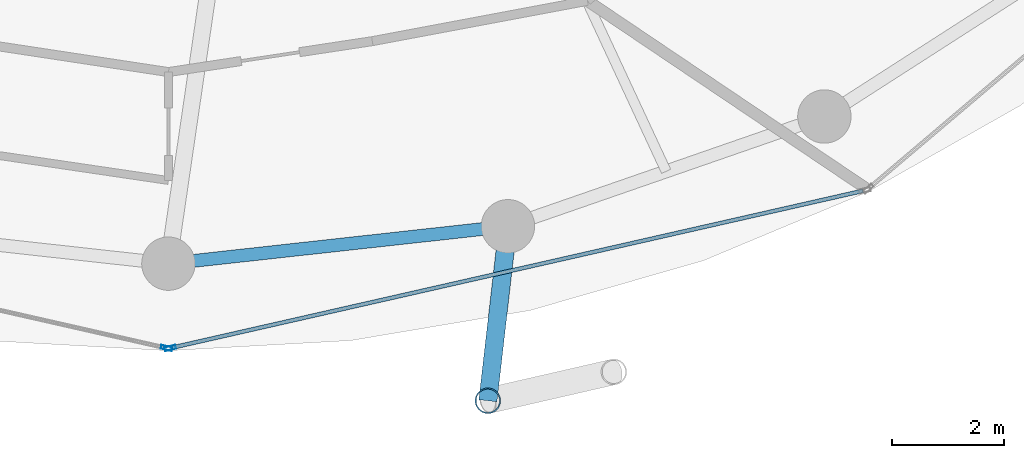
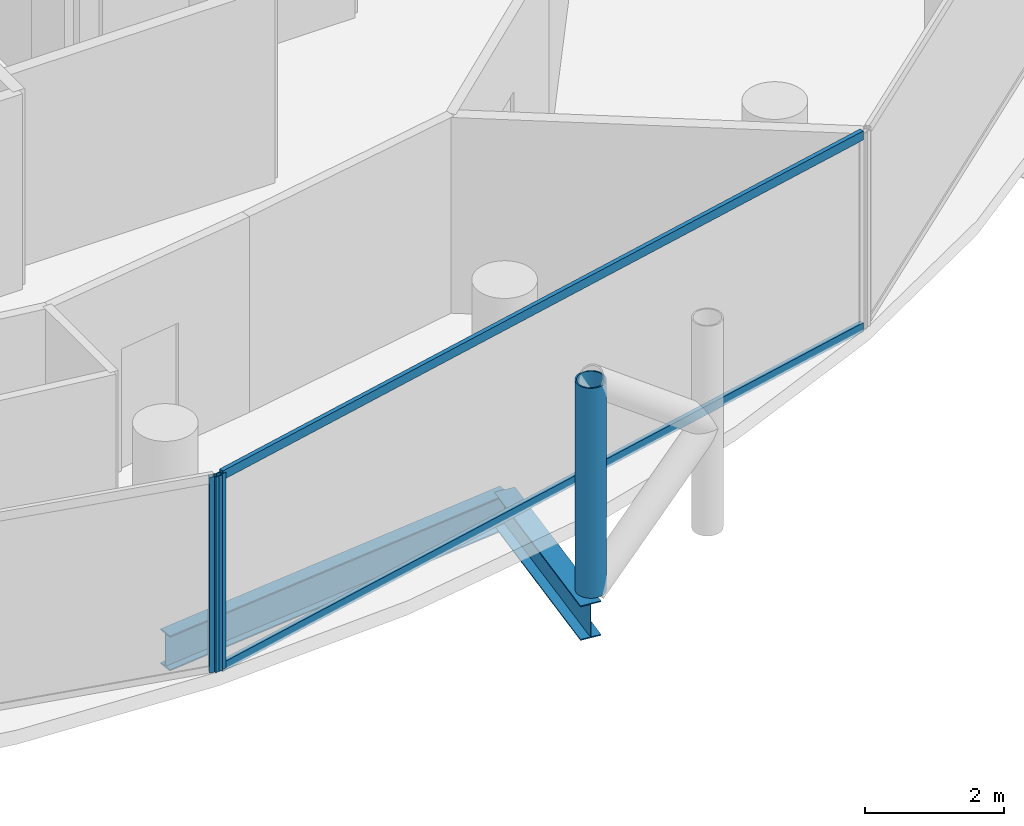
# One storey, part 4 of 26: 5 members, 2 beams, 2 elements without a shape of their own.
"""IFC4 building model written with IfcOpenShell, lengths in metres."""

from ifc_helpers import new_model, si_unit, direction, frame, origin, origin_2d, place, context, subcontext, project, spatial, hollow_rectangle, hollow_circle, i_section, extrude, material, layer, layer_set, material_profile, profile_set, type_object, element, aggregate, save


model = new_model("IFC4")

# Units and contexts
model_context = context("Model", 3, precision=1e-05, world=origin(), true_north=direction((0.0, 1.0)))
body_context = subcontext(model_context, "Body", "Model", "MODEL_VIEW")
ifc_project = project(units=[si_unit("LENGTHUNIT", "METRE"), si_unit("AREAUNIT", "SQUARE_METRE"), si_unit("VOLUMEUNIT", "CUBIC_METRE"), si_unit("PLANEANGLEUNIT", "RADIAN"), si_unit("MASSUNIT", "GRAM", prefix="KILO")], contexts=[model_context])

# Site, building, storey
site_placement = place(None, origin())
site = spatial("IfcSite", under=ifc_project, at=site_placement, CompositionType="ELEMENT")
building_placement = place(site_placement, origin())
building = spatial("IfcBuilding", under=site, at=building_placement, Name="Nuhasar Tower", CompositionType="ELEMENT")
storey_placement = place(building_placement, frame((0.0, 0.0, 162.64990234375)))
storey = spatial("IfcBuildingStorey", under=building, at=storey_placement, Name="L39", CompositionType="ELEMENT", Elevation=162.64990234375)

# Beams
ifc_material_1 = material(Name="Steel S355", Category="steel")
ifc_material_profile_1 = material_profile(ifc_material_1, i_section(OverallWidth=0.22998046875, OverallDepth=0.616943359375, WebThickness=0.01318359375, FlangeThickness=0.022216796875, at=origin_2d()), Name="W24X94")
ifc_profile_set_1 = profile_set([ifc_material_profile_1], Name="Steel S355")
beam_type_1 = type_object("IfcBeamType", Name="BM-RING-W24X94", PredefinedType="SPANDREL", material=ifc_profile_set_1)
beam_1_placement = place(storey_placement, frame((39.0, 7.25, -0.558837890625), z_axis=(0.993981289157, 0.109549974015, 0.0), x_axis=(-0.109549974015, 0.993981289157, 0.0)))
element("IfcBeam", 1, at=beam_1_placement, inside=storey, type_object=beam_type_1, Name="L39 Perimeter Ring Spandrel 19", PredefinedType="SPANDREL", context=body_context, shape_type="SweptSolid", body=[
    extrude(i_section(OverallWidth=0.22998046875, OverallDepth=0.616943359375, WebThickness=0.01318359375, FlangeThickness=0.022216796875, at=origin_2d()), origin(), (0.0, 0.0, 1.0), 6.07958984375),
])
ifc_material_profile_2 = material_profile(ifc_material_1, i_section(OverallWidth=0.323974609375, OverallDepth=0.611083984375, WebThickness=0.0126953125, FlangeThickness=0.01904296875, at=origin_2d()), Name="W24X104")
ifc_profile_set_2 = profile_set([ifc_material_profile_2], Name="Steel S355")
beam_type_2 = type_object("IfcBeamType", Name="BM-TIE-W24X104", PredefinedType="BEAM", material=ifc_profile_set_2)
beam_2_placement = place(storey_placement, frame((45.04296875, 7.916015625, -0.554931640625), z_axis=(-0.114167639647, -0.993461499031, 0.0), x_axis=(0.993461499031, -0.114167639647, 0.0)))
element("IfcBeam", 2, at=beam_2_placement, inside=storey, type_object=beam_type_2, Name="L39 Exoskeleton Node Tie Beam 10", PredefinedType="BEAM", context=body_context, shape_type="SweptSolid", body=[
    extrude(i_section(OverallWidth=0.323974609375, OverallDepth=0.611083984375, WebThickness=0.0126953125, FlangeThickness=0.01904296875, at=origin_2d()), origin(), (0.0, 0.0, 1.0), 3.12646484375),
])

# Curtain wall, member
ifc_material_2 = material(Name="Aluminium 6063-T6", Category="aluminium")
ifc_layer = layer(ifc_material_2, 0.199951171875)
ifc_layer_set = layer_set([ifc_layer], Name="Aluminium 6063-T6")
curtain_wall_type = type_object("IfcCurtainWallType", Name="CW-Z2-HTL", PredefinedType="NOTDEFINED", material=ifc_layer_set)
curtain_wall_1_placement = place(storey_placement, origin())
curtain_wall_1 = element("IfcCurtainWall", 3, at=curtain_wall_1_placement, inside=storey, type_object=curtain_wall_type, Name="L39 Unitised Curtain Wall 09", PredefinedType="NOTDEFINED")
ifc_material_profile_3 = material_profile(ifc_material_2, hollow_rectangle(XDim=0.070068359375, YDim=0.199951171875, WallThickness=0.0048828125, at=origin_2d()), Name="CWM-3")
ifc_profile_set_3 = profile_set([ifc_material_profile_3], Name="Aluminium 6063-T6")
member_type_1 = type_object("IfcMemberType", Name="CW-MUL-S3", PredefinedType="MULLION", material=ifc_profile_set_3)
member_1_placement = place(storey_placement, frame((38.9658203125, 5.747802734375, 0.0), z_axis=(0.0, 0.0, 1.0), x_axis=(0.22139729566, 0.975183694221, 0.0)))
member_1 = element("IfcMember", 4, at=member_1_placement, type_object=member_type_1, Name="CW-Z2 mullion 2", PredefinedType="MULLION", context=body_context, shape_type="SweptSolid", body=[
    extrude(hollow_rectangle(XDim=0.070068359375, YDim=0.199951171875, WallThickness=0.0048828125, at=origin_2d()), origin(), (0.0, 0.0, 1.0), 3.4501953125),
])
aggregate(curtain_wall_1, [member_1])

# Curtain wall, members
curtain_wall_2_placement = place(storey_placement, origin())
curtain_wall_2 = element("IfcCurtainWall", 5, at=curtain_wall_2_placement, inside=storey, type_object=curtain_wall_type, Name="L39 Unitised Curtain Wall 10", PredefinedType="NOTDEFINED")
member_2_placement = place(storey_placement, frame((39.0341796875, 5.747802734375, 0.0), z_axis=(0.0, 0.0, 1.0), x_axis=(-0.22139729566, 0.975183694221, 0.0)))
member_2 = element("IfcMember", 6, at=member_2_placement, type_object=member_type_1, Name="CW-Z2 mullion 1", PredefinedType="MULLION", context=body_context, shape_type="SweptSolid", body=[
    extrude(hollow_rectangle(XDim=0.070068359375, YDim=0.199951171875, WallThickness=0.0048828125, at=origin_2d()), origin(), (0.0, 0.0, 1.0), 3.4501953125),
])
ifc_material_profile_4 = material_profile(ifc_material_2, hollow_rectangle(XDim=0.070068359375, YDim=0.159912109375, WallThickness=0.00439453125, at=origin_2d()), Name="CWT-3")
ifc_profile_set_4 = profile_set([ifc_material_profile_4], Name="Aluminium 6063-T6")
member_type_2 = type_object("IfcMemberType", Name="CW-TRN-S3", PredefinedType="USERDEFINED", material=ifc_profile_set_4)
member_3_placement = place(storey_placement, frame((39.068359375, 5.755615234375, 0.03515625), z_axis=(0.975187615691, 0.221380022142, 0.0), x_axis=(-0.221380022142, 0.975187615691, 0.0)))
member_3 = element("IfcMember", 7, at=member_3_placement, type_object=member_type_2, Name="CW-Z2 transom 1.1", ObjectType="TRANSOM", PredefinedType="USERDEFINED", context=body_context, shape_type="SweptSolid", body=[
    extrude(hollow_rectangle(XDim=0.070068359375, YDim=0.159912109375, WallThickness=0.00439453125, at=origin_2d()), origin(), (0.0, 0.0, 1.0), 12.606201171875),
])
member_4_placement = place(storey_placement, frame((39.068359375, 5.755615234375, 3.4150390625), z_axis=(0.975187615691, 0.221380022142, 0.0), x_axis=(-0.221380022142, 0.975187615691, 0.0)))
member_4 = element("IfcMember", 8, at=member_4_placement, type_object=member_type_2, Name="CW-Z2 transom 1.2", ObjectType="TRANSOM", PredefinedType="USERDEFINED", context=body_context, shape_type="SweptSolid", body=[
    extrude(hollow_rectangle(XDim=0.070068359375, YDim=0.159912109375, WallThickness=0.00439453125, at=origin_2d()), origin(), (0.0, 0.0, 1.0), 12.606201171875),
])
aggregate(curtain_wall_2, [member_2, member_3, member_4])

# Member
ifc_material_3 = material(Name="Steel S460", Category="steel")
ifc_material_profile_5 = material_profile(ifc_material_3, hollow_circle(Radius=0.228515625, WallThickness=0.022216796875, at=origin_2d()), Name="HSS457X22.2")
ifc_profile_set_5 = profile_set([ifc_material_profile_5], Name="Steel S460")
member_type_3 = type_object("IfcMemberType", Name="EXO-BRONZE-457", PredefinedType="BRACE", material=ifc_profile_set_5)
member_5_placement = place(storey_placement, frame((44.68603515625, 4.81005859375, 0.0), z_axis=(0.0, 0.0, 1.0), x_axis=(1.0, 0.0, 0.0)))
element("IfcMember", 9, at=member_5_placement, inside=storey, type_object=member_type_3, Name="L39 Exoskeleton Chord Column EC-10A", PredefinedType="BRACE", context=body_context, shape_type="SweptSolid", body=[
    extrude(hollow_circle(Radius=0.228515625, WallThickness=0.022216796875, at=origin_2d()), origin(), (0.0, 0.0, 1.0), 3.7001953125),
])

save(model, "model.ifc")
